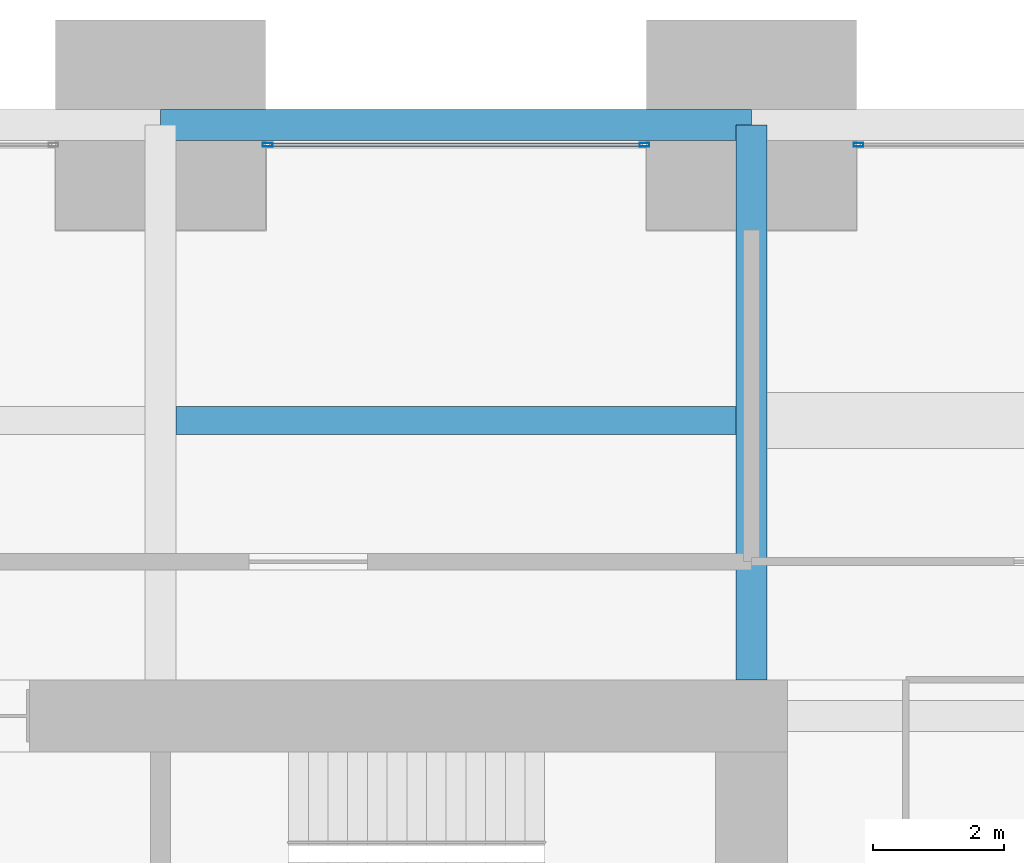
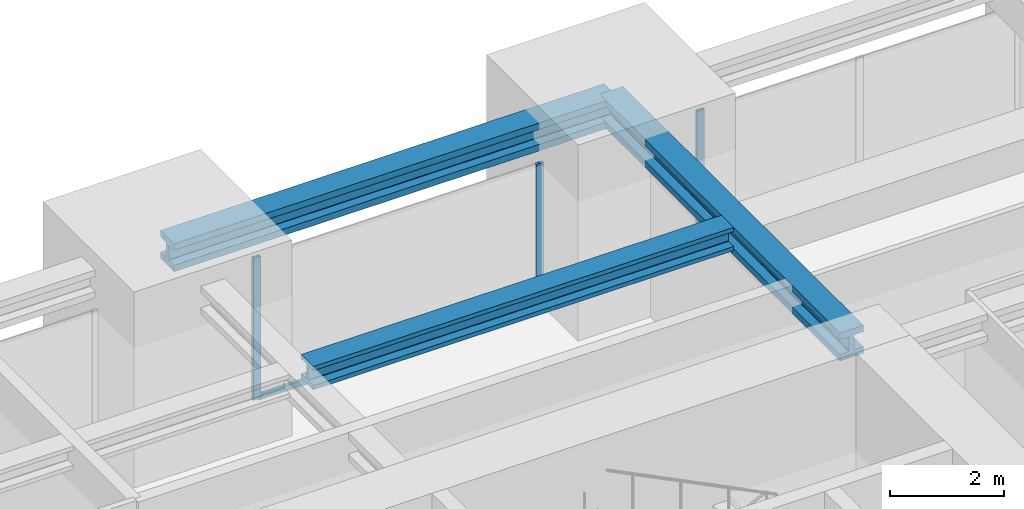
# One storey, part 35 of 45: 4 members, 3 beams, 2 elements without a shape of their own.
"""IFC4 building model written with IfcOpenShell, lengths in metres."""

from ifc_helpers import new_model, si_unit, direction, frame, origin, origin_2d, place, context, subcontext, project, spatial, hollow_rectangle, i_section, extrude, material, material_profile, profile_set, type_object, element, aggregate, save


model = new_model("IFC4")

# Units and contexts
model_context = context("Model", 3, precision=1e-05, world=origin(), true_north=direction((0.0, 1.0)))
body_context = subcontext(model_context, "Body", "Model", "MODEL_VIEW")
ifc_project = project(units=[si_unit("LENGTHUNIT", "METRE"), si_unit("AREAUNIT", "SQUARE_METRE"), si_unit("VOLUMEUNIT", "CUBIC_METRE"), si_unit("PLANEANGLEUNIT", "RADIAN"), si_unit("MASSUNIT", "GRAM", prefix="KILO")], contexts=[model_context])

# Site, building, storey
site_placement = place(None, origin())
site = spatial("IfcSite", under=ifc_project, at=site_placement, CompositionType="ELEMENT")
building_placement = place(site_placement, origin())
building = spatial("IfcBuilding", under=site, at=building_placement, Name="Zorevar Civic Tower", CompositionType="ELEMENT")
storey_placement = place(building_placement, frame((0.0, 0.0, 153.0)))
storey = spatial("IfcBuildingStorey", under=building, at=storey_placement, Name="L37", CompositionType="ELEMENT", Elevation=153.0)

# Beam
ifc_material_1 = material(Name="Steel S460M (HISTAR 460)", Category="steel")
ifc_material_profile_1 = material_profile(ifc_material_1, i_section(OverallWidth=0.47607421875, OverallDepth=0.60009765625, WebThickness=0.10009765625, FlangeThickness=0.139892578125, FilletRadius=0.014892578125, at=origin_2d()), Name="HD 400x1299")
ifc_profile_set_1 = profile_set([ifc_material_profile_1], Name="Steel S460M (HISTAR 460)")
beam_type_1 = type_object("IfcBeamType", Name="Belt chord HD 400x1299", PredefinedType="BEAM", material=ifc_profile_set_1)
beam_1_placement = place(storey_placement, frame((36.0, 45.0, 3.550048828125), z_axis=(1.0, 0.0, 0.0), x_axis=(0.0, 1.0, 0.0)))
element("IfcBeam", 1, at=beam_1_placement, inside=storey, type_object=beam_type_1, Name="Belt chord L38", PredefinedType="BEAM", context=body_context, shape_type="SweptSolid", body=[
    extrude(i_section(OverallWidth=0.47607421875, OverallDepth=0.60009765625, WebThickness=0.10009765625, FlangeThickness=0.139892578125, FilletRadius=0.014892578125, at=origin_2d()), origin(), (0.0, 0.0, 1.0), 9.0),
])

# Curtain wall, members
ifc_material_2 = material(Name="Dark grey solar-control glass in black aluminium frame", Category="aluminium")
curtain_wall_type = type_object("IfcCurtainWallType", Name="Curtain wall CW3 mid zone", PredefinedType="NOTDEFINED", material=ifc_material_2)
curtain_wall_1_placement = place(storey_placement, origin())
curtain_wall_1 = element("IfcCurtainWall", 2, at=curtain_wall_1_placement, inside=storey, type_object=curtain_wall_type, Name="CW3 L37", PredefinedType="NOTDEFINED")
ifc_material_3 = material(Name="Aluminium, black anodised", Category="aluminium")
ifc_material_profile_2 = material_profile(ifc_material_3, hollow_rectangle(XDim=0.06005859375, YDim=0.14990234375, WallThickness=0.00390625, at=origin_2d()), Name="AL 150x60x4")
ifc_profile_set_2 = profile_set([ifc_material_profile_2], Name="Aluminium, black anodised")
member_type_1 = type_object("IfcMemberType", Name="CW3 mullion AL 150x60x4", PredefinedType="MULLION", material=ifc_profile_set_2)
member_1_placement = place(storey_placement, frame((37.6298828125, 44.699951171875, 0.0), z_axis=(0.0, 0.0, 1.0), x_axis=(0.0, 1.0, 0.0)))
member_1 = element("IfcMember", 3, at=member_1_placement, type_object=member_type_1, Name="CW3 mullion 1", PredefinedType="MULLION", context=body_context, shape_type="SweptSolid", body=[
    extrude(hollow_rectangle(XDim=0.06005859375, YDim=0.14990234375, WallThickness=0.00390625, at=origin_2d()), origin(), (0.0, 0.0, 1.0), 3.050048828125),
])
member_2_placement = place(storey_placement, frame((43.3701171875, 44.699951171875, 0.0), z_axis=(0.0, 0.0, 1.0), x_axis=(0.0, 1.0, 0.0)))
member_2 = element("IfcMember", 4, at=member_2_placement, type_object=member_type_1, Name="CW3 mullion 2", PredefinedType="MULLION", context=body_context, shape_type="SweptSolid", body=[
    extrude(hollow_rectangle(XDim=0.06005859375, YDim=0.14990234375, WallThickness=0.00390625, at=origin_2d()), origin(), (0.0, 0.0, 1.0), 3.050048828125),
])

# Curtain wall, member
curtain_wall_2_placement = place(storey_placement, origin())
curtain_wall_2 = element("IfcCurtainWall", 5, at=curtain_wall_2_placement, inside=storey, type_object=curtain_wall_type, Name="CW3 L37", PredefinedType="NOTDEFINED")
member_3_placement = place(storey_placement, frame((46.6298828125, 44.699951171875, 0.0), z_axis=(0.0, 0.0, 1.0), x_axis=(0.0, 1.0, 0.0)))
member_3 = element("IfcMember", 6, at=member_3_placement, type_object=member_type_1, Name="CW3 mullion 1", PredefinedType="MULLION", context=body_context, shape_type="SweptSolid", body=[
    extrude(hollow_rectangle(XDim=0.06005859375, YDim=0.14990234375, WallThickness=0.00390625, at=origin_2d()), origin(), (0.0, 0.0, 1.0), 3.050048828125),
])
aggregate(curtain_wall_2, [member_3])

# Member
ifc_material_4 = material(Name="Aluminium, black anodised", Category="aluminium")
ifc_material_profile_3 = material_profile(ifc_material_4, hollow_rectangle(XDim=0.06005859375, YDim=0.1201171875, WallThickness=0.0029296875, at=origin_2d()), Name="AL 120x60x3")
ifc_profile_set_3 = profile_set([ifc_material_profile_3], Name="Aluminium, black anodised")
member_type_2 = type_object("IfcMemberType", Name="CW3 transom AL 120x60x3", PredefinedType="USERDEFINED", material=ifc_profile_set_3)
member_4_placement = place(storey_placement, frame((37.659912109375, 44.699951171875, 0.030029296875), z_axis=(1.0, 0.0, 0.0), x_axis=(0.0, 1.0, 0.0)))
member_4 = element("IfcMember", 7, at=member_4_placement, type_object=member_type_2, Name="CW3 sill transom", ObjectType="TRANSOM", PredefinedType="USERDEFINED", context=body_context, shape_type="SweptSolid", body=[
    extrude(hollow_rectangle(XDim=0.06005859375, YDim=0.1201171875, WallThickness=0.0029296875, at=origin_2d()), origin(), (0.0, 0.0, 1.0), 5.68017578125),
])

aggregate(curtain_wall_1, [member_1, member_2, member_4])

# Beams
ifc_material_5 = material(Name="Steel S460M (HISTAR 460)", Category="steel")
ifc_material_profile_4 = material_profile(ifc_material_5, i_section(OverallWidth=0.431884765625, OverallDepth=0.498046875, WebThickness=0.0556640625, FlangeThickness=0.0888671875, FilletRadius=0.014892578125, at=origin_2d()), Name="HD 400x744")
ifc_profile_set_4 = profile_set([ifc_material_profile_4], Name="Steel S460M (HISTAR 460)")
beam_type_2 = type_object("IfcBeamType", Name="Core bay beam HD 400x744", PredefinedType="BEAM", material=ifc_profile_set_4)
beam_2_placement = place(storey_placement, frame((36.238037109375, 40.5, 3.60107421875), z_axis=(1.0, 0.0, 0.0), x_axis=(0.0, 1.0, 0.0)))
element("IfcBeam", 8, at=beam_2_placement, inside=storey, type_object=beam_type_2, Name="Secondary beam L38", PredefinedType="BEAM", context=body_context, shape_type="SweptSolid", body=[
    extrude(i_section(OverallWidth=0.431884765625, OverallDepth=0.498046875, WebThickness=0.0556640625, FlangeThickness=0.0888671875, FilletRadius=0.014892578125, at=origin_2d()), origin(), (0.0, 0.0, 1.0), 8.52392578125),
])
ifc_material_6 = material(Name="Steel S460M (HISTAR 460)", Category="steel")
ifc_material_profile_5 = material_profile(ifc_material_6, i_section(OverallWidth=0.47607421875, OverallDepth=0.60009765625, WebThickness=0.10009765625, FlangeThickness=0.139892578125, FilletRadius=0.014892578125, at=origin_2d()), Name="HD 400x1299")
ifc_profile_set_5 = profile_set([ifc_material_profile_5], Name="Steel S460M (HISTAR 460)")
beam_type_3 = type_object("IfcBeamType", Name="Outrigger chord HD 400x1299", PredefinedType="BEAM", material=ifc_profile_set_5)
beam_3_placement = place(storey_placement, frame((45.0, 36.550048828125, 3.550048828125), z_axis=(0.0, 1.0, 0.0), x_axis=(-1.0, 0.0, 0.0)))
element("IfcBeam", 9, at=beam_3_placement, inside=storey, type_object=beam_type_3, Name="Outrigger chord L38", PredefinedType="BEAM", context=body_context, shape_type="SweptSolid", body=[
    extrude(i_section(OverallWidth=0.47607421875, OverallDepth=0.60009765625, WebThickness=0.10009765625, FlangeThickness=0.139892578125, FilletRadius=0.014892578125, at=origin_2d()), origin(), (0.0, 0.0, 1.0), 8.449951171875),
])

save(model, "model.ifc")
